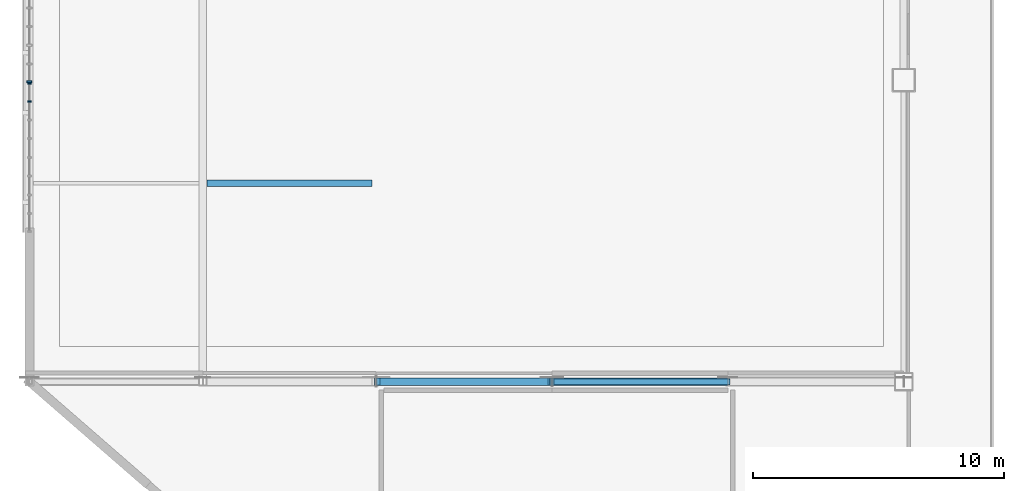
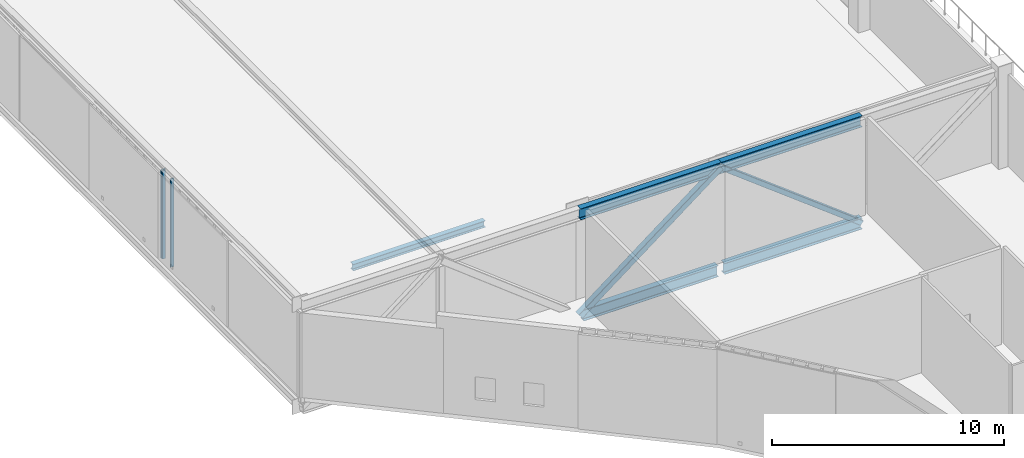
# One storey, part 11 of 135: 5 beams, 5 members, 2 elements without a shape of their own.
"""IFC4 building model written with IfcOpenShell, lengths in metres."""

from ifc_helpers import new_model, si_unit, direction, frame, origin, origin_2d, place, context, subcontext, project, spatial, rectangle, hollow_rectangle, i_section, extrude, material, material_profile, profile_set, type_object, element, aggregate, save


model = new_model("IFC4")

# Units and contexts
model_context = context("Model", 3, precision=1e-05, world=origin(), true_north=direction((0.0, 1.0)))
body_context = subcontext(model_context, "Body", "Model", "MODEL_VIEW")
ifc_project = project(units=[si_unit("LENGTHUNIT", "METRE"), si_unit("AREAUNIT", "SQUARE_METRE"), si_unit("VOLUMEUNIT", "CUBIC_METRE"), si_unit("PLANEANGLEUNIT", "RADIAN"), si_unit("MASSUNIT", "GRAM", prefix="KILO")], contexts=[model_context])

# Site, building, storey
site_placement = place(None, origin())
site = spatial("IfcSite", under=ifc_project, at=site_placement, CompositionType="ELEMENT")
building_placement = place(site_placement, origin())
building = spatial("IfcBuilding", under=site, at=building_placement, Name="Larkvane Passage Sports Hall", CompositionType="ELEMENT")
storey_placement = place(building_placement, frame((0.0, 0.0, 16.800048828125)))
storey = spatial("IfcBuildingStorey", under=building, at=storey_placement, Name="L03", CompositionType="ELEMENT", Elevation=16.800048828125)

# Beams
ifc_material_1 = material(Name="Steel S460N", Category="steel")
ifc_material_profile_1 = material_profile(ifc_material_1, i_section(OverallWidth=0.300048828125, OverallDepth=0.587890625, WebThickness=0.011962890625, FlangeThickness=0.02001953125, FilletRadius=0.02197265625, at=origin_2d()), Name="H-588x300x12x20")
ifc_profile_set_1 = profile_set([ifc_material_profile_1], Name="Steel S460N")
beam_type_1 = type_object("IfcBeamType", Name="BM-STL-H588", PredefinedType="BEAM", material=ifc_profile_set_1)
beam_1_placement = place(storey_placement, frame((13.955078125, 51.60009765625, -0.614013671875), z_axis=(1.0, 0.0, 0.0), x_axis=(0.0, 1.0, 0.0)))
element("IfcBeam", 1, at=beam_1_placement, inside=storey, type_object=beam_type_1, Name="Cantilever truss CT-W3A-1 bottom chord 3", PredefinedType="BEAM", context=body_context, shape_type="SweptSolid", body=[
    extrude(i_section(OverallWidth=0.300048828125, OverallDepth=0.587890625, WebThickness=0.011962890625, FlangeThickness=0.02001953125, FilletRadius=0.02197265625, at=origin_2d()), origin(), (0.0, 0.0, 1.0), 6.68994140625),
])
beam_2_placement = place(storey_placement, frame((13.800048828125, 51.60009765625, 4.755859375), z_axis=(1.0, 0.0, 0.0), x_axis=(0.0, 1.0, 0.0)))
element("IfcBeam", 2, at=beam_2_placement, inside=storey, type_object=beam_type_1, Name="Cantilever truss CT-W3A-1 top chord 3", PredefinedType="BEAM", context=body_context, shape_type="SweptSolid", body=[
    extrude(i_section(OverallWidth=0.300048828125, OverallDepth=0.587890625, WebThickness=0.011962890625, FlangeThickness=0.02001953125, FilletRadius=0.02197265625, at=origin_2d()), origin(), (0.0, 0.0, 1.0), 7.0),
])
beam_3_placement = place(storey_placement, frame((20.955078125, 51.60009765625, -0.614013671875), z_axis=(1.0, 0.0, 0.0), x_axis=(0.0, 1.0, 0.0)))
element("IfcBeam", 3, at=beam_3_placement, inside=storey, type_object=beam_type_1, Name="Cantilever truss CT-W3A-1 bottom chord 4", PredefinedType="BEAM", context=body_context, shape_type="SweptSolid", body=[
    extrude(i_section(OverallWidth=0.300048828125, OverallDepth=0.587890625, WebThickness=0.011962890625, FlangeThickness=0.02001953125, FilletRadius=0.02197265625, at=origin_2d()), origin(), (0.0, 0.0, 1.0), 6.844970703125),
])
beam_4_placement = place(storey_placement, frame((20.800048828125, 51.60009765625, 4.755859375), z_axis=(1.0, 0.0, 0.0), x_axis=(0.0, 1.0, 0.0)))
element("IfcBeam", 4, at=beam_4_placement, inside=storey, type_object=beam_type_1, Name="Cantilever truss CT-W3A-1 top chord 4", PredefinedType="BEAM", context=body_context, shape_type="SweptSolid", body=[
    extrude(i_section(OverallWidth=0.300048828125, OverallDepth=0.587890625, WebThickness=0.011962890625, FlangeThickness=0.02001953125, FilletRadius=0.02197265625, at=origin_2d()), origin(), (0.0, 0.0, 1.0), 7.0),
])

# Curtain wall, members
ifc_material_2 = material(Name="Thermally broken aluminium and low-E glazing", Category="aluminium")
curtain_wall_type_1 = type_object("IfcCurtainWallType", Name="CW-UNIT-COURT", PredefinedType="USERDEFINED", material=ifc_material_2)
curtain_wall_1_placement = place(storey_placement, origin())
curtain_wall_1 = element("IfcCurtainWall", 5, at=curtain_wall_1_placement, inside=storey, type_object=curtain_wall_type_1, Name="Curtain wall CW5-L03-132", ObjectType="UNITISED CURTAIN WALL", PredefinedType="USERDEFINED")
ifc_material_3 = material(Name="Anodised aluminium 6063-T6", Category="aluminium")
ifc_material_profile_2 = material_profile(ifc_material_3, rectangle(XDim=0.06005859375, YDim=0.14990234375, at=origin_2d()), Name="ALU-MUL-60x150")
ifc_profile_set_2 = profile_set([ifc_material_profile_2], Name="Anodised aluminium 6063-T6")
member_type_1 = type_object("IfcMemberType", Name="CW-MUL-60x150", PredefinedType="MULLION", material=ifc_profile_set_2)
member_1_placement = place(storey_placement, frame((0.0, 62.75634765625, 0.0), z_axis=(0.0, 0.0, 1.0), x_axis=(0.0, 1.0, 0.0)))
member_1 = element("IfcMember", 6, at=member_1_placement, type_object=member_type_1, Name="CW-01 mullion 8", PredefinedType="MULLION", context=body_context, shape_type="SweptSolid", body=[
    extrude(rectangle(XDim=0.06005859375, YDim=0.14990234375, at=origin_2d()), origin(), (0.0, 0.0, 1.0), 4.64794921875),
])
member_2_placement = place(storey_placement, frame((0.0, 63.469970703125, 0.0), z_axis=(0.0, 0.0, 1.0), x_axis=(0.0, 1.0, 0.0)))
member_2 = element("IfcMember", 7, at=member_2_placement, type_object=member_type_1, Name="CW-01 mullion 9", PredefinedType="MULLION", context=body_context, shape_type="SweptSolid", body=[
    extrude(rectangle(XDim=0.06005859375, YDim=0.14990234375, at=origin_2d()), origin(), (0.0, 0.0, 1.0), 4.64794921875),
])
aggregate(curtain_wall_1, [member_1, member_2])

# Curtain wall, member
curtain_wall_type_2 = type_object("IfcCurtainWallType", Name="CW-UNIT-VEIL", PredefinedType="USERDEFINED", material=ifc_material_2)
curtain_wall_2_placement = place(storey_placement, origin())
curtain_wall_2 = element("IfcCurtainWall", 8, at=curtain_wall_2_placement, inside=storey, type_object=curtain_wall_type_2, Name="Curtain wall CW5-L03-133", ObjectType="UNITISED CURTAIN WALL", PredefinedType="USERDEFINED")
ifc_material_profile_3 = material_profile(ifc_material_3, rectangle(XDim=0.070068359375, YDim=0.199951171875, at=origin_2d()), Name="ALU-MUL-70x200")
ifc_profile_set_3 = profile_set([ifc_material_profile_3], Name="Anodised aluminium 6063-T6")
member_type_2 = type_object("IfcMemberType", Name="CW-MUL-70x200", PredefinedType="MULLION", material=ifc_profile_set_3)
member_3_placement = place(storey_placement, frame((0.0, 63.534912109375, 0.0), z_axis=(0.0, 0.0, 1.0), x_axis=(0.0, 1.0, 0.0)))
member_3 = element("IfcMember", 9, at=member_3_placement, type_object=member_type_2, Name="CW-02 mullion 1", PredefinedType="MULLION", context=body_context, shape_type="SweptSolid", body=[
    extrude(rectangle(XDim=0.070068359375, YDim=0.199951171875, at=origin_2d()), origin(), (0.0, 0.0, 1.0), 4.64794921875),
])
aggregate(curtain_wall_2, [member_3])

# Beam
ifc_material_4 = material(Name="Steel S355JR", Category="steel")
ifc_material_profile_4 = material_profile(ifc_material_4, i_section(OverallWidth=0.25, OverallDepth=0.340087890625, WebThickness=0.009033203125, FlangeThickness=0.013916015625, FilletRadius=0.012939453125, at=origin_2d()), Name="H-340x250x9x14")
ifc_profile_set_4 = profile_set([ifc_material_profile_4], Name="Steel S355JR")
beam_type_2 = type_object("IfcBeamType", Name="JST-STL-H340", PredefinedType="JOIST", material=ifc_profile_set_4)
beam_5_placement = place(storey_placement, frame((7.06005859375, 59.5, -0.489990234375), z_axis=(1.0, 0.0, 0.0), x_axis=(0.0, 1.0, 0.0)))
element("IfcBeam", 10, at=beam_5_placement, inside=storey, type_object=beam_type_2, Name="Cantilever floor joist CT-W3A--2-1", PredefinedType="JOIST", context=body_context, shape_type="SweptSolid", body=[
    extrude(i_section(OverallWidth=0.25, OverallDepth=0.340087890625, WebThickness=0.009033203125, FlangeThickness=0.013916015625, FilletRadius=0.012939453125, at=origin_2d()), origin(), (0.0, 0.0, 1.0), 6.579833984375),
])

# Members
ifc_material_profile_5 = material_profile(ifc_material_1, hollow_rectangle(XDim=0.25, YDim=0.25, WallThickness=0.011962890625, InnerFilletRadius=0.011962890625, OuterFilletRadius=0.02392578125, at=origin_2d()), Name="SHS-250x250x12")
ifc_profile_set_5 = profile_set([ifc_material_profile_5], Name="Steel S460N")
member_type_3 = type_object("IfcMemberType", Name="MBR-BR-SHS250", PredefinedType="BRACE", material=ifc_profile_set_5)
member_4_placement = place(storey_placement, frame((20.800048828125, 51.60009765625, 4.755859375), z_axis=(0.793430842103, 0.0, -0.608660413367), x_axis=(0.0, 1.0, 0.0)))
element("IfcMember", 11, at=member_4_placement, inside=storey, type_object=member_type_3, Name="Cantilever truss CT-W3A-1 web diagonal 4", PredefinedType="BRACE", context=body_context, shape_type="SweptSolid", body=[
    extrude(hollow_rectangle(XDim=0.25, YDim=0.25, WallThickness=0.011962890625, InnerFilletRadius=0.011962890625, OuterFilletRadius=0.02392578125, at=origin_2d()), origin(), (0.0, 0.0, 1.0), 8.822509765625),
])
ifc_material_profile_6 = material_profile(ifc_material_1, hollow_rectangle(XDim=0.300048828125, YDim=0.300048828125, WallThickness=0.011962890625, InnerFilletRadius=0.011962890625, OuterFilletRadius=0.02392578125, at=origin_2d()), Name="SHS-300x300x12")
ifc_profile_set_6 = profile_set([ifc_material_profile_6], Name="Steel S460N")
member_type_4 = type_object("IfcMemberType", Name="MBR-BR-SHS300", PredefinedType="BRACE", material=ifc_profile_set_6)
member_5_placement = place(storey_placement, frame((13.800048828125, 51.60009765625, -0.614013671875), z_axis=(0.793430842103, 0.0, 0.608660413367), x_axis=(0.0, 1.0, 0.0)))
element("IfcMember", 12, at=member_5_placement, inside=storey, type_object=member_type_4, Name="Cantilever truss CT-W3A-1 web diagonal 3", PredefinedType="BRACE", context=body_context, shape_type="SweptSolid", body=[
    extrude(hollow_rectangle(XDim=0.300048828125, YDim=0.300048828125, WallThickness=0.011962890625, InnerFilletRadius=0.011962890625, OuterFilletRadius=0.02392578125, at=origin_2d()), origin(), (0.0, 0.0, 1.0), 8.822509765625),
])

save(model, "model.ifc")
